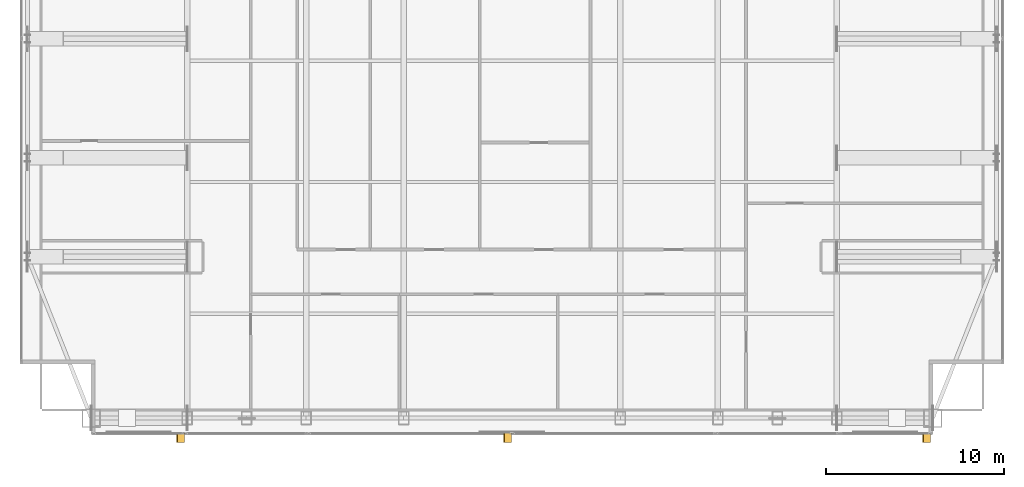
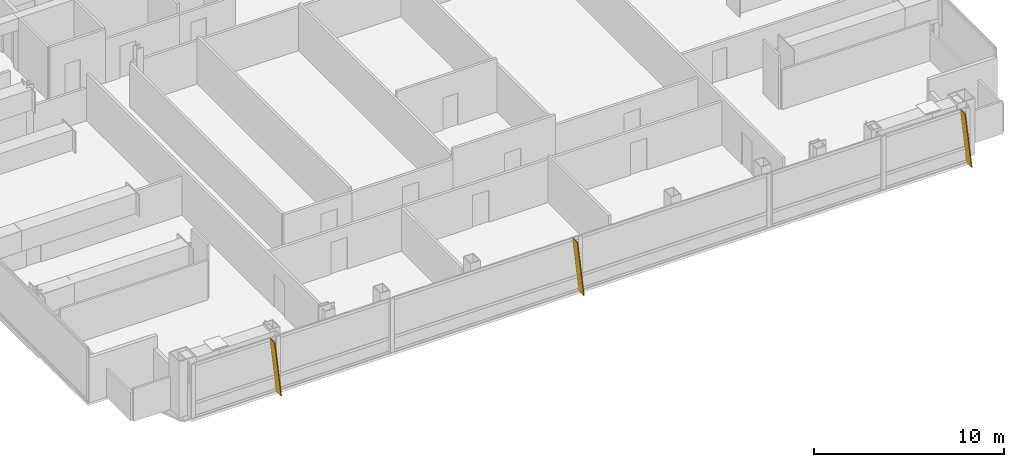
# One storey, part 25 of 26: 3 shading devices.
"""IFC4 building model written with IfcOpenShell, lengths in metres."""

from ifc_helpers import new_model, si_unit, direction, frame, origin, place, context, subcontext, project, spatial, polyline, outline, extrude, material, layer, layer_set, type_object, element, save


model = new_model("IFC4")

# Units and contexts
model_context = context("Model", 3, precision=1e-05, world=origin(), true_north=direction((0.0, 1.0)))
body_context = subcontext(model_context, "Body", "Model", "MODEL_VIEW")
ifc_project = project(units=[si_unit("LENGTHUNIT", "METRE"), si_unit("AREAUNIT", "SQUARE_METRE"), si_unit("VOLUMEUNIT", "CUBIC_METRE"), si_unit("PLANEANGLEUNIT", "RADIAN"), si_unit("MASSUNIT", "GRAM", prefix="KILO")], contexts=[model_context])

# Site, building, storey
site_placement = place(None, origin())
site = spatial("IfcSite", under=ifc_project, at=site_placement, CompositionType="ELEMENT")
building_placement = place(site_placement, origin())
building = spatial("IfcBuilding", under=site, at=building_placement, Name="Khoronbel Lancet Exchange", CompositionType="ELEMENT")
storey_placement = place(building_placement, frame((0.0, 0.0, 287.800048828125)))
storey = spatial("IfcBuildingStorey", under=building, at=storey_placement, Name="L74", CompositionType="ELEMENT", Elevation=287.800048828125)

# Shading devices
ifc_material = material(Name="Bronze-Anodised Aluminium 6063-T6", Category="aluminium")
ifc_layer = layer(ifc_material, 0.054931640625, Name="Bronze-Anodised Aluminium 6063-T6")
ifc_layer_set = layer_set([ifc_layer], Name="Bronze-Anodised Aluminium 6063-T6")
shading_device_type = type_object("IfcShadingDeviceType", Name="SHD-FIN1", PredefinedType="USERDEFINED", material=ifc_layer_set)
for number, where, z_axis, x_axis, name in (
    (1, (18.072509765625, 9.31005859375, -0.080078125), (0.993900347655, 0.0, 0.110281906632), (0.0, -1.0, 0.0), "Slanted bronze solar fin CW-L74-SWV-1"),
    (2, (36.422607421875, 9.31005859375, -0.080078125), (0.993900347655, 0.0, 0.110281906632), (0.0, -1.0, 0.0), "Slanted bronze solar fin CW-L74-SCV-1"),
    (3, (59.9326171875, 9.31005859375, -0.080078125), (0.993900347655, 0.0, 0.110281906632), (0.0, -1.0, 0.0), "Slanted bronze solar fin CW-L74-SEV-1"),
):
    element("IfcShadingDevice", number, at=place(storey_placement, frame(where, z_axis=z_axis, x_axis=x_axis)), inside=storey, type_object=shading_device_type, Name=name, ObjectType="FIN", PredefinedType="USERDEFINED", context=body_context, shape_type="SweptSolid", body=[
        extrude(outline(polyline([(0.0, 0.0), (0.52001953125, 0.0), (0.52001953125, -3.581787109375), (0.0, -3.581787109375), (0.0, 0.0)])), origin(), (0.0, 0.0, -1.0), 0.054931640625),
    ])

save(model, "model.ifc")
